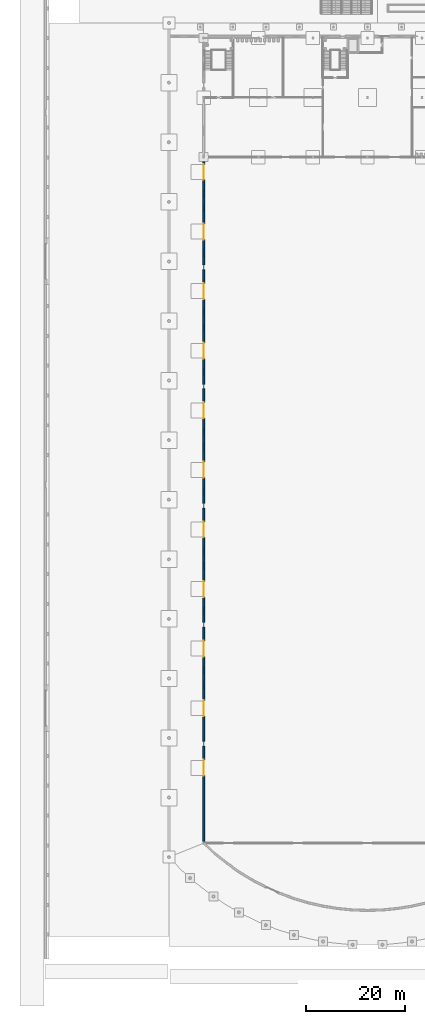
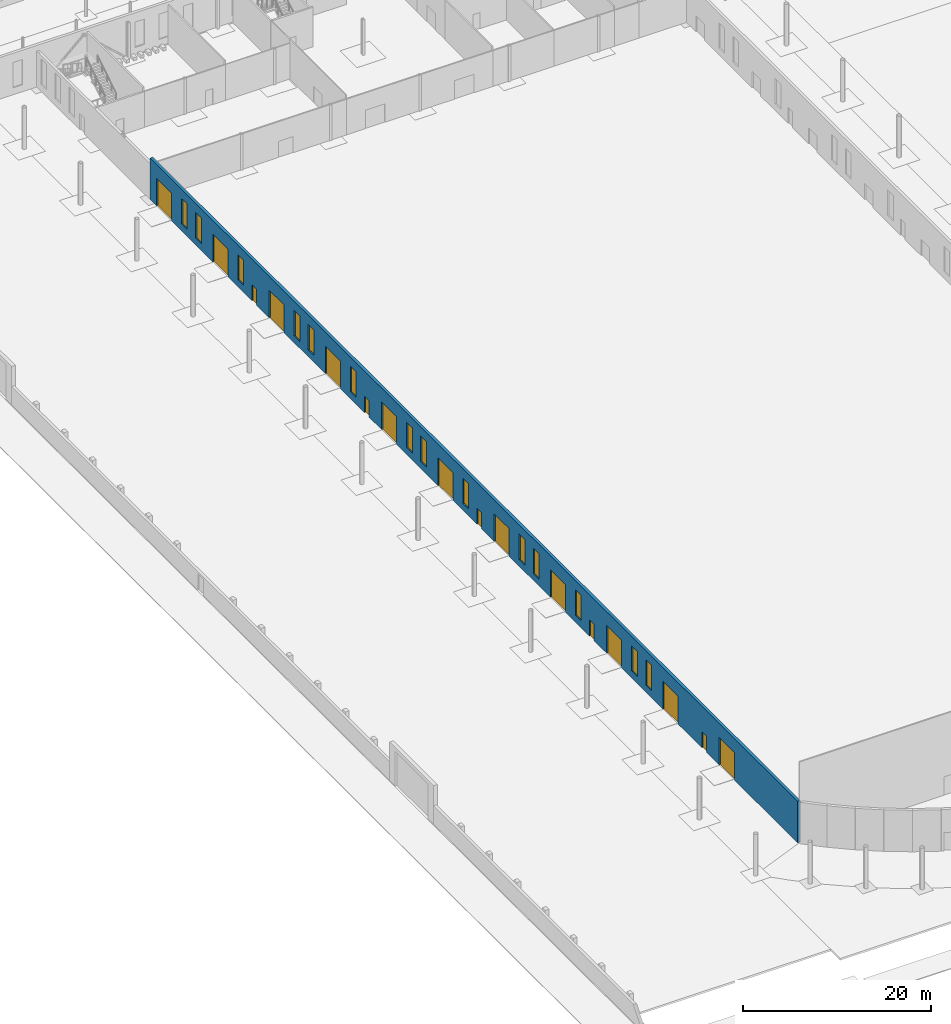
# One storey, part 60 of 132: 16 doors, 14 windows, 1 wall, 30 openings.
"""IFC4 building model written with IfcOpenShell, lengths in metres."""

from ifc_helpers import new_model, si_unit, direction, frame, frame_2d, origin, place, context, subcontext, project, spatial, rectangle, extrude, material, layer, layer_set, type_object, element, fill, save


model = new_model("IFC4")

# Units and contexts
model_context = context("Model", 3, precision=1e-05, world=origin(), true_north=direction((0.0, 1.0)))
body_context = subcontext(model_context, "Body", "Model", "MODEL_VIEW")
ifc_project = project(units=[si_unit("LENGTHUNIT", "METRE"), si_unit("AREAUNIT", "SQUARE_METRE"), si_unit("VOLUMEUNIT", "CUBIC_METRE"), si_unit("PLANEANGLEUNIT", "RADIAN"), si_unit("MASSUNIT", "GRAM", prefix="KILO")], contexts=[model_context])

# Site, building, storey
site_placement = place(None, origin())
site = spatial("IfcSite", under=ifc_project, at=site_placement, CompositionType="ELEMENT")
building_placement = place(site_placement, origin())
building = spatial("IfcBuilding", under=site, at=building_placement, Name="Ravi Spectrum Wholesale Market", CompositionType="ELEMENT")
storey_placement = place(building_placement, origin())
storey = spatial("IfcBuildingStorey", under=building, at=storey_placement, Name="L00", CompositionType="ELEMENT", Elevation=0.0)

# Wall, openings, doors, windows
ifc_material_1 = material(Name="Clinker brickwork", Category="masonry")
ifc_layer = layer(ifc_material_1, 0.340087890625)
ifc_layer_set = layer_set([ifc_layer], Name="Clinker brickwork")
wall_type = type_object("IfcWallType", Name="Brick 340 clinker", PredefinedType="SOLIDWALL", material=ifc_layer_set)
wall_placement = place(storey_placement, frame((37.0, 171.0, 0.0), z_axis=(0.0, 0.0, 1.0), x_axis=(0.0, -1.0, 0.0)))
wall = element("IfcWall", 1, at=wall_placement, inside=storey, type_object=wall_type, Name="Hall wall", PredefinedType="SOLIDWALL", context=body_context, shape_type="SweptSolid", body=[
    extrude(rectangle(XDim=138.115234375, YDim=0.340087890625, at=frame_2d((69.0576171875, 0.0))), origin(), (0.0, 0.0, 1.0), 5.39990234375),
])
opening_1_placement = place(wall_placement, frame((121.39990234375, 0.0, 0.0)))
opening_1 = element("IfcOpeningElement", 2, at=opening_1_placement, cuts=wall, Name="Opening D103", PredefinedType="OPENING", context=body_context, shape_type="SweptSolid", body=[
    extrude(rectangle(XDim=3.199951171875, YDim=3.60009765625, at=frame_2d((1.60009765625, 1.800048828125))), frame((0.0, 0.179931640625, 0.0), z_axis=(0.0, -1.0, 0.0), x_axis=(1.0, 0.0, 0.0)), (0.0, 0.0, 1.0), 0.360107421875),
])
opening_2_placement = place(wall_placement, frame((118.699951171875, 0.0, 0.0), z_axis=(0.0, 0.0, 1.0), x_axis=(-1.0, 0.0, 0.0)))
opening_2 = element("IfcOpeningElement", 3, at=opening_2_placement, cuts=wall, Name="Opening D105", PredefinedType="OPENING", context=body_context, shape_type="SweptSolid", body=[
    extrude(rectangle(XDim=1.0, YDim=2.10009765625, at=frame_2d((0.5, 1.050048828125))), frame((0.0, 0.179931640625, 0.0), z_axis=(0.0, -1.0, 0.0), x_axis=(1.0, 0.0, 0.0)), (0.0, 0.0, 1.0), 0.360107421875),
])
opening_3_placement = place(wall_placement, frame((109.39990234375, 0.0, 0.0)))
opening_3 = element("IfcOpeningElement", 4, at=opening_3_placement, cuts=wall, Name="Opening D107", PredefinedType="OPENING", context=body_context, shape_type="SweptSolid", body=[
    extrude(rectangle(XDim=3.199951171875, YDim=3.60009765625, at=frame_2d((1.60009765625, 1.800048828125))), frame((0.0, 0.179931640625, 0.0), z_axis=(0.0, -1.0, 0.0), x_axis=(1.0, 0.0, 0.0)), (0.0, 0.0, 1.0), 0.360107421875),
])
opening_4_placement = place(wall_placement, frame((97.39990234375, 0.0, 0.0)))
opening_4 = element("IfcOpeningElement", 5, at=opening_4_placement, cuts=wall, Name="Opening D109", PredefinedType="OPENING", context=body_context, shape_type="SweptSolid", body=[
    extrude(rectangle(XDim=3.199951171875, YDim=3.60009765625, at=frame_2d((1.60009765625, 1.800048828125))), frame((0.0, 0.179931640625, 0.0), z_axis=(0.0, -1.0, 0.0), x_axis=(1.0, 0.0, 0.0)), (0.0, 0.0, 1.0), 0.360107421875),
])
opening_5_placement = place(wall_placement, frame((94.699951171875, 0.0, 0.0), z_axis=(0.0, 0.0, 1.0), x_axis=(-1.0, 0.0, 0.0)))
opening_5 = element("IfcOpeningElement", 6, at=opening_5_placement, cuts=wall, Name="Opening D111", PredefinedType="OPENING", context=body_context, shape_type="SweptSolid", body=[
    extrude(rectangle(XDim=1.0, YDim=2.10009765625, at=frame_2d((0.5, 1.050048828125))), frame((0.0, 0.179931640625, 0.0), z_axis=(0.0, -1.0, 0.0), x_axis=(1.0, 0.0, 0.0)), (0.0, 0.0, 1.0), 0.360107421875),
])
opening_6_placement = place(wall_placement, frame((85.39990234375, 0.0, 0.0)))
opening_6 = element("IfcOpeningElement", 7, at=opening_6_placement, cuts=wall, Name="Opening D113", PredefinedType="OPENING", context=body_context, shape_type="SweptSolid", body=[
    extrude(rectangle(XDim=3.199951171875, YDim=3.60009765625, at=frame_2d((1.60009765625, 1.800048828125))), frame((0.0, 0.179931640625, 0.0), z_axis=(0.0, -1.0, 0.0), x_axis=(1.0, 0.0, 0.0)), (0.0, 0.0, 1.0), 0.360107421875),
])
opening_7_placement = place(wall_placement, frame((73.39990234375, 0.0, 0.0)))
opening_7 = element("IfcOpeningElement", 8, at=opening_7_placement, cuts=wall, Name="Opening D115", PredefinedType="OPENING", context=body_context, shape_type="SweptSolid", body=[
    extrude(rectangle(XDim=3.199951171875, YDim=3.60009765625, at=frame_2d((1.60009765625, 1.800048828125))), frame((0.0, 0.179931640625, 0.0), z_axis=(0.0, -1.0, 0.0), x_axis=(1.0, 0.0, 0.0)), (0.0, 0.0, 1.0), 0.360107421875),
])
opening_8_placement = place(wall_placement, frame((70.699951171875, 0.0, 0.0), z_axis=(0.0, 0.0, 1.0), x_axis=(-1.0, 0.0, 0.0)))
opening_8 = element("IfcOpeningElement", 9, at=opening_8_placement, cuts=wall, Name="Opening D117", PredefinedType="OPENING", context=body_context, shape_type="SweptSolid", body=[
    extrude(rectangle(XDim=1.0, YDim=2.10009765625, at=frame_2d((0.5, 1.050048828125))), frame((0.0, 0.179931640625, 0.0), z_axis=(0.0, -1.0, 0.0), x_axis=(1.0, 0.0, 0.0)), (0.0, 0.0, 1.0), 0.360107421875),
])
opening_9_placement = place(wall_placement, frame((61.39990234375, 0.0, 0.0)))
opening_9 = element("IfcOpeningElement", 10, at=opening_9_placement, cuts=wall, Name="Opening D119", PredefinedType="OPENING", context=body_context, shape_type="SweptSolid", body=[
    extrude(rectangle(XDim=3.199951171875, YDim=3.60009765625, at=frame_2d((1.60009765625, 1.800048828125))), frame((0.0, 0.179931640625, 0.0), z_axis=(0.0, -1.0, 0.0), x_axis=(1.0, 0.0, 0.0)), (0.0, 0.0, 1.0), 0.360107421875),
])
opening_10_placement = place(wall_placement, frame((49.39990234375, 0.0, 0.0)))
opening_10 = element("IfcOpeningElement", 11, at=opening_10_placement, cuts=wall, Name="Opening D121", PredefinedType="OPENING", context=body_context, shape_type="SweptSolid", body=[
    extrude(rectangle(XDim=3.199951171875, YDim=3.60009765625, at=frame_2d((1.60009765625, 1.800048828125))), frame((0.0, 0.179931640625, 0.0), z_axis=(0.0, -1.0, 0.0), x_axis=(1.0, 0.0, 0.0)), (0.0, 0.0, 1.0), 0.360107421875),
])
opening_11_placement = place(wall_placement, frame((46.699951171875, 0.0, 0.0), z_axis=(0.0, 0.0, 1.0), x_axis=(-1.0, 0.0, 0.0)))
opening_11 = element("IfcOpeningElement", 12, at=opening_11_placement, cuts=wall, Name="Opening D123", PredefinedType="OPENING", context=body_context, shape_type="SweptSolid", body=[
    extrude(rectangle(XDim=1.0, YDim=2.10009765625, at=frame_2d((0.5, 1.050048828125))), frame((0.0, 0.179931640625, 0.0), z_axis=(0.0, -1.0, 0.0), x_axis=(1.0, 0.0, 0.0)), (0.0, 0.0, 1.0), 0.360107421875),
])
opening_12_placement = place(wall_placement, frame((37.39990234375, 0.0, 0.0)))
opening_12 = element("IfcOpeningElement", 13, at=opening_12_placement, cuts=wall, Name="Opening D125", PredefinedType="OPENING", context=body_context, shape_type="SweptSolid", body=[
    extrude(rectangle(XDim=3.199951171875, YDim=3.60009765625, at=frame_2d((1.60009765625, 1.800048828125))), frame((0.0, 0.179931640625, 0.0), z_axis=(0.0, -1.0, 0.0), x_axis=(1.0, 0.0, 0.0)), (0.0, 0.0, 1.0), 0.360107421875),
])
opening_13_placement = place(wall_placement, frame((25.39990234375, 0.0, 0.0)))
opening_13 = element("IfcOpeningElement", 14, at=opening_13_placement, cuts=wall, Name="Opening D127", PredefinedType="OPENING", context=body_context, shape_type="SweptSolid", body=[
    extrude(rectangle(XDim=3.199951171875, YDim=3.60009765625, at=frame_2d((1.60009765625, 1.800048828125))), frame((0.0, 0.179931640625, 0.0), z_axis=(0.0, -1.0, 0.0), x_axis=(1.0, 0.0, 0.0)), (0.0, 0.0, 1.0), 0.360107421875),
])
opening_14_placement = place(wall_placement, frame((22.699951171875, 0.0, 0.0), z_axis=(0.0, 0.0, 1.0), x_axis=(-1.0, 0.0, 0.0)))
opening_14 = element("IfcOpeningElement", 15, at=opening_14_placement, cuts=wall, Name="Opening D129", PredefinedType="OPENING", context=body_context, shape_type="SweptSolid", body=[
    extrude(rectangle(XDim=1.0, YDim=2.10009765625, at=frame_2d((0.5, 1.050048828125))), frame((0.0, 0.179931640625, 0.0), z_axis=(0.0, -1.0, 0.0), x_axis=(1.0, 0.0, 0.0)), (0.0, 0.0, 1.0), 0.360107421875),
])
opening_15_placement = place(wall_placement, frame((13.39990234375, 0.0, 0.0)))
opening_15 = element("IfcOpeningElement", 16, at=opening_15_placement, cuts=wall, Name="Opening D131", PredefinedType="OPENING", context=body_context, shape_type="SweptSolid", body=[
    extrude(rectangle(XDim=3.199951171875, YDim=3.60009765625, at=frame_2d((1.60009765625, 1.800048828125))), frame((0.0, 0.179931640625, 0.0), z_axis=(0.0, -1.0, 0.0), x_axis=(1.0, 0.0, 0.0)), (0.0, 0.0, 1.0), 0.360107421875),
])
opening_16_placement = place(wall_placement, frame((1.39990234375, 0.0, 0.0)))
opening_16 = element("IfcOpeningElement", 17, at=opening_16_placement, cuts=wall, Name="Opening D133", PredefinedType="OPENING", context=body_context, shape_type="SweptSolid", body=[
    extrude(rectangle(XDim=3.199951171875, YDim=3.60009765625, at=frame_2d((1.60009765625, 1.800048828125))), frame((0.0, 0.179931640625, 0.0), z_axis=(0.0, -1.0, 0.0), x_axis=(1.0, 0.0, 0.0)), (0.0, 0.0, 1.0), 0.360107421875),
])
opening_17_placement = place(wall_placement, frame((6.72998046875, 0.0, 0.89990234375)))
opening_17 = element("IfcOpeningElement", 18, at=opening_17_placement, cuts=wall, Name="Opening W1007", PredefinedType="OPENING", context=body_context, shape_type="SweptSolid", body=[
    extrude(rectangle(XDim=1.199951171875, YDim=3.300048828125, at=frame_2d((0.60009765625, 1.64990234375))), frame((0.0, 0.179931640625, 0.0), z_axis=(0.0, -1.0, 0.0), x_axis=(1.0, 0.0, 0.0)), (0.0, 0.0, 1.0), 0.360107421875),
])
opening_18_placement = place(wall_placement, frame((9.72998046875, 0.0, 0.89990234375)))
opening_18 = element("IfcOpeningElement", 19, at=opening_18_placement, cuts=wall, Name="Opening W1008", PredefinedType="OPENING", context=body_context, shape_type="SweptSolid", body=[
    extrude(rectangle(XDim=1.199951171875, YDim=3.300048828125, at=frame_2d((0.60009765625, 1.64990234375))), frame((0.0, 0.179931640625, 0.0), z_axis=(0.0, -1.0, 0.0), x_axis=(1.0, 0.0, 0.0)), (0.0, 0.0, 1.0), 0.360107421875),
])
opening_19_placement = place(wall_placement, frame((18.72998046875, 0.0, 0.89990234375)))
opening_19 = element("IfcOpeningElement", 20, at=opening_19_placement, cuts=wall, Name="Opening W1009", PredefinedType="OPENING", context=body_context, shape_type="SweptSolid", body=[
    extrude(rectangle(XDim=1.199951171875, YDim=3.300048828125, at=frame_2d((0.60009765625, 1.64990234375))), frame((0.0, 0.179931640625, 0.0), z_axis=(0.0, -1.0, 0.0), x_axis=(1.0, 0.0, 0.0)), (0.0, 0.0, 1.0), 0.360107421875),
])
opening_20_placement = place(wall_placement, frame((30.72998046875, 0.0, 0.89990234375)))
opening_20 = element("IfcOpeningElement", 21, at=opening_20_placement, cuts=wall, Name="Opening W1010", PredefinedType="OPENING", context=body_context, shape_type="SweptSolid", body=[
    extrude(rectangle(XDim=1.199951171875, YDim=3.300048828125, at=frame_2d((0.60009765625, 1.64990234375))), frame((0.0, 0.179931640625, 0.0), z_axis=(0.0, -1.0, 0.0), x_axis=(1.0, 0.0, 0.0)), (0.0, 0.0, 1.0), 0.360107421875),
])
opening_21_placement = place(wall_placement, frame((33.72998046875, 0.0, 0.89990234375)))
opening_21 = element("IfcOpeningElement", 22, at=opening_21_placement, cuts=wall, Name="Opening W1011", PredefinedType="OPENING", context=body_context, shape_type="SweptSolid", body=[
    extrude(rectangle(XDim=1.199951171875, YDim=3.300048828125, at=frame_2d((0.60009765625, 1.64990234375))), frame((0.0, 0.179931640625, 0.0), z_axis=(0.0, -1.0, 0.0), x_axis=(1.0, 0.0, 0.0)), (0.0, 0.0, 1.0), 0.360107421875),
])
opening_22_placement = place(wall_placement, frame((42.72998046875, 0.0, 0.89990234375)))
opening_22 = element("IfcOpeningElement", 23, at=opening_22_placement, cuts=wall, Name="Opening W1012", PredefinedType="OPENING", context=body_context, shape_type="SweptSolid", body=[
    extrude(rectangle(XDim=1.199951171875, YDim=3.300048828125, at=frame_2d((0.60009765625, 1.64990234375))), frame((0.0, 0.179931640625, 0.0), z_axis=(0.0, -1.0, 0.0), x_axis=(1.0, 0.0, 0.0)), (0.0, 0.0, 1.0), 0.360107421875),
])
opening_23_placement = place(wall_placement, frame((54.72998046875, 0.0, 0.89990234375)))
opening_23 = element("IfcOpeningElement", 24, at=opening_23_placement, cuts=wall, Name="Opening W1013", PredefinedType="OPENING", context=body_context, shape_type="SweptSolid", body=[
    extrude(rectangle(XDim=1.199951171875, YDim=3.300048828125, at=frame_2d((0.60009765625, 1.64990234375))), frame((0.0, 0.179931640625, 0.0), z_axis=(0.0, -1.0, 0.0), x_axis=(1.0, 0.0, 0.0)), (0.0, 0.0, 1.0), 0.360107421875),
])
opening_24_placement = place(wall_placement, frame((57.72998046875, 0.0, 0.89990234375)))
opening_24 = element("IfcOpeningElement", 25, at=opening_24_placement, cuts=wall, Name="Opening W1014", PredefinedType="OPENING", context=body_context, shape_type="SweptSolid", body=[
    extrude(rectangle(XDim=1.199951171875, YDim=3.300048828125, at=frame_2d((0.60009765625, 1.64990234375))), frame((0.0, 0.179931640625, 0.0), z_axis=(0.0, -1.0, 0.0), x_axis=(1.0, 0.0, 0.0)), (0.0, 0.0, 1.0), 0.360107421875),
])
opening_25_placement = place(wall_placement, frame((66.72998046875, 0.0, 0.89990234375)))
opening_25 = element("IfcOpeningElement", 26, at=opening_25_placement, cuts=wall, Name="Opening W1015", PredefinedType="OPENING", context=body_context, shape_type="SweptSolid", body=[
    extrude(rectangle(XDim=1.199951171875, YDim=3.300048828125, at=frame_2d((0.60009765625, 1.64990234375))), frame((0.0, 0.179931640625, 0.0), z_axis=(0.0, -1.0, 0.0), x_axis=(1.0, 0.0, 0.0)), (0.0, 0.0, 1.0), 0.360107421875),
])
opening_26_placement = place(wall_placement, frame((78.72998046875, 0.0, 0.89990234375)))
opening_26 = element("IfcOpeningElement", 27, at=opening_26_placement, cuts=wall, Name="Opening W1016", PredefinedType="OPENING", context=body_context, shape_type="SweptSolid", body=[
    extrude(rectangle(XDim=1.199951171875, YDim=3.300048828125, at=frame_2d((0.60009765625, 1.64990234375))), frame((0.0, 0.179931640625, 0.0), z_axis=(0.0, -1.0, 0.0), x_axis=(1.0, 0.0, 0.0)), (0.0, 0.0, 1.0), 0.360107421875),
])
opening_27_placement = place(wall_placement, frame((81.72998046875, 0.0, 0.89990234375)))
opening_27 = element("IfcOpeningElement", 28, at=opening_27_placement, cuts=wall, Name="Opening W1017", PredefinedType="OPENING", context=body_context, shape_type="SweptSolid", body=[
    extrude(rectangle(XDim=1.199951171875, YDim=3.300048828125, at=frame_2d((0.60009765625, 1.64990234375))), frame((0.0, 0.179931640625, 0.0), z_axis=(0.0, -1.0, 0.0), x_axis=(1.0, 0.0, 0.0)), (0.0, 0.0, 1.0), 0.360107421875),
])
opening_28_placement = place(wall_placement, frame((90.72998046875, 0.0, 0.89990234375)))
opening_28 = element("IfcOpeningElement", 29, at=opening_28_placement, cuts=wall, Name="Opening W1018", PredefinedType="OPENING", context=body_context, shape_type="SweptSolid", body=[
    extrude(rectangle(XDim=1.199951171875, YDim=3.300048828125, at=frame_2d((0.60009765625, 1.64990234375))), frame((0.0, 0.179931640625, 0.0), z_axis=(0.0, -1.0, 0.0), x_axis=(1.0, 0.0, 0.0)), (0.0, 0.0, 1.0), 0.360107421875),
])
opening_29_placement = place(wall_placement, frame((102.72998046875, 0.0, 0.89990234375)))
opening_29 = element("IfcOpeningElement", 30, at=opening_29_placement, cuts=wall, Name="Opening W1019", PredefinedType="OPENING", context=body_context, shape_type="SweptSolid", body=[
    extrude(rectangle(XDim=1.199951171875, YDim=3.300048828125, at=frame_2d((0.60009765625, 1.64990234375))), frame((0.0, 0.179931640625, 0.0), z_axis=(0.0, -1.0, 0.0), x_axis=(1.0, 0.0, 0.0)), (0.0, 0.0, 1.0), 0.360107421875),
])
opening_30_placement = place(wall_placement, frame((105.72998046875, 0.0, 0.89990234375)))
opening_30 = element("IfcOpeningElement", 31, at=opening_30_placement, cuts=wall, Name="Opening W1020", PredefinedType="OPENING", context=body_context, shape_type="SweptSolid", body=[
    extrude(rectangle(XDim=1.199951171875, YDim=3.300048828125, at=frame_2d((0.60009765625, 1.64990234375))), frame((0.0, 0.179931640625, 0.0), z_axis=(0.0, -1.0, 0.0), x_axis=(1.0, 0.0, 0.0)), (0.0, 0.0, 1.0), 0.360107421875),
])
ifc_material_2 = material(Name="Steel roller shutter", Category="steel")
door_type_1 = type_object("IfcDoorType", Name="Dock roller shutter 3200 x 3600", OperationType="ROLLINGUP", PredefinedType="DOOR", material=ifc_material_2)
door_1_placement = place(opening_1_placement, origin())
door_1 = element("IfcDoor", 32, at=door_1_placement, inside=storey, type_object=door_type_1, Name="Door D103", OperationType="ROLLINGUP", OverallHeight=3.60009765625, OverallWidth=3.199951171875, PredefinedType="DOOR", context=body_context, shape_type="SweptSolid", body=[
    extrude(rectangle(XDim=3.199951171875, YDim=3.60009765625, at=frame_2d((1.60009765625, 1.800048828125))), frame((0.0, 0.02490234375, 0.0), z_axis=(0.0, -1.0, 0.0), x_axis=(1.0, 0.0, 0.0)), (0.0, 0.0, 1.0), 0.050048828125),
])
fill(opening_1, door_1)
door_2_placement = place(opening_3_placement, origin())
door_2 = element("IfcDoor", 33, at=door_2_placement, inside=storey, type_object=door_type_1, Name="Door D107", OperationType="ROLLINGUP", OverallHeight=3.60009765625, OverallWidth=3.199951171875, PredefinedType="DOOR", context=body_context, shape_type="SweptSolid", body=[
    extrude(rectangle(XDim=3.199951171875, YDim=3.60009765625, at=frame_2d((1.60009765625, 1.800048828125))), frame((0.0, 0.02490234375, 0.0), z_axis=(0.0, -1.0, 0.0), x_axis=(1.0, 0.0, 0.0)), (0.0, 0.0, 1.0), 0.050048828125),
])
fill(opening_3, door_2)
door_3_placement = place(opening_4_placement, origin())
door_3 = element("IfcDoor", 34, at=door_3_placement, inside=storey, type_object=door_type_1, Name="Door D109", OperationType="ROLLINGUP", OverallHeight=3.60009765625, OverallWidth=3.199951171875, PredefinedType="DOOR", context=body_context, shape_type="SweptSolid", body=[
    extrude(rectangle(XDim=3.199951171875, YDim=3.60009765625, at=frame_2d((1.60009765625, 1.800048828125))), frame((0.0, 0.02490234375, 0.0), z_axis=(0.0, -1.0, 0.0), x_axis=(1.0, 0.0, 0.0)), (0.0, 0.0, 1.0), 0.050048828125),
])
fill(opening_4, door_3)
door_4_placement = place(opening_6_placement, origin())
door_4 = element("IfcDoor", 35, at=door_4_placement, inside=storey, type_object=door_type_1, Name="Door D113", OperationType="ROLLINGUP", OverallHeight=3.60009765625, OverallWidth=3.199951171875, PredefinedType="DOOR", context=body_context, shape_type="SweptSolid", body=[
    extrude(rectangle(XDim=3.199951171875, YDim=3.60009765625, at=frame_2d((1.60009765625, 1.800048828125))), frame((0.0, 0.02490234375, 0.0), z_axis=(0.0, -1.0, 0.0), x_axis=(1.0, 0.0, 0.0)), (0.0, 0.0, 1.0), 0.050048828125),
])
fill(opening_6, door_4)
door_5_placement = place(opening_7_placement, origin())
door_5 = element("IfcDoor", 36, at=door_5_placement, inside=storey, type_object=door_type_1, Name="Door D115", OperationType="ROLLINGUP", OverallHeight=3.60009765625, OverallWidth=3.199951171875, PredefinedType="DOOR", context=body_context, shape_type="SweptSolid", body=[
    extrude(rectangle(XDim=3.199951171875, YDim=3.60009765625, at=frame_2d((1.60009765625, 1.800048828125))), frame((0.0, 0.02490234375, 0.0), z_axis=(0.0, -1.0, 0.0), x_axis=(1.0, 0.0, 0.0)), (0.0, 0.0, 1.0), 0.050048828125),
])
fill(opening_7, door_5)
door_6_placement = place(opening_9_placement, origin())
door_6 = element("IfcDoor", 37, at=door_6_placement, inside=storey, type_object=door_type_1, Name="Door D119", OperationType="ROLLINGUP", OverallHeight=3.60009765625, OverallWidth=3.199951171875, PredefinedType="DOOR", context=body_context, shape_type="SweptSolid", body=[
    extrude(rectangle(XDim=3.199951171875, YDim=3.60009765625, at=frame_2d((1.60009765625, 1.800048828125))), frame((0.0, 0.02490234375, 0.0), z_axis=(0.0, -1.0, 0.0), x_axis=(1.0, 0.0, 0.0)), (0.0, 0.0, 1.0), 0.050048828125),
])
fill(opening_9, door_6)
door_7_placement = place(opening_10_placement, origin())
door_7 = element("IfcDoor", 38, at=door_7_placement, inside=storey, type_object=door_type_1, Name="Door D121", OperationType="ROLLINGUP", OverallHeight=3.60009765625, OverallWidth=3.199951171875, PredefinedType="DOOR", context=body_context, shape_type="SweptSolid", body=[
    extrude(rectangle(XDim=3.199951171875, YDim=3.60009765625, at=frame_2d((1.60009765625, 1.800048828125))), frame((0.0, 0.02490234375, 0.0), z_axis=(0.0, -1.0, 0.0), x_axis=(1.0, 0.0, 0.0)), (0.0, 0.0, 1.0), 0.050048828125),
])
fill(opening_10, door_7)
door_8_placement = place(opening_12_placement, origin())
door_8 = element("IfcDoor", 39, at=door_8_placement, inside=storey, type_object=door_type_1, Name="Door D125", OperationType="ROLLINGUP", OverallHeight=3.60009765625, OverallWidth=3.199951171875, PredefinedType="DOOR", context=body_context, shape_type="SweptSolid", body=[
    extrude(rectangle(XDim=3.199951171875, YDim=3.60009765625, at=frame_2d((1.60009765625, 1.800048828125))), frame((0.0, 0.02490234375, 0.0), z_axis=(0.0, -1.0, 0.0), x_axis=(1.0, 0.0, 0.0)), (0.0, 0.0, 1.0), 0.050048828125),
])
fill(opening_12, door_8)
door_9_placement = place(opening_13_placement, origin())
door_9 = element("IfcDoor", 40, at=door_9_placement, inside=storey, type_object=door_type_1, Name="Door D127", OperationType="ROLLINGUP", OverallHeight=3.60009765625, OverallWidth=3.199951171875, PredefinedType="DOOR", context=body_context, shape_type="SweptSolid", body=[
    extrude(rectangle(XDim=3.199951171875, YDim=3.60009765625, at=frame_2d((1.60009765625, 1.800048828125))), frame((0.0, 0.02490234375, 0.0), z_axis=(0.0, -1.0, 0.0), x_axis=(1.0, 0.0, 0.0)), (0.0, 0.0, 1.0), 0.050048828125),
])
fill(opening_13, door_9)
door_10_placement = place(opening_15_placement, origin())
door_10 = element("IfcDoor", 41, at=door_10_placement, inside=storey, type_object=door_type_1, Name="Door D131", OperationType="ROLLINGUP", OverallHeight=3.60009765625, OverallWidth=3.199951171875, PredefinedType="DOOR", context=body_context, shape_type="SweptSolid", body=[
    extrude(rectangle(XDim=3.199951171875, YDim=3.60009765625, at=frame_2d((1.60009765625, 1.800048828125))), frame((0.0, 0.02490234375, 0.0), z_axis=(0.0, -1.0, 0.0), x_axis=(1.0, 0.0, 0.0)), (0.0, 0.0, 1.0), 0.050048828125),
])
fill(opening_15, door_10)
door_11_placement = place(opening_16_placement, origin())
door_11 = element("IfcDoor", 42, at=door_11_placement, inside=storey, type_object=door_type_1, Name="Door D133", OperationType="ROLLINGUP", OverallHeight=3.60009765625, OverallWidth=3.199951171875, PredefinedType="DOOR", context=body_context, shape_type="SweptSolid", body=[
    extrude(rectangle(XDim=3.199951171875, YDim=3.60009765625, at=frame_2d((1.60009765625, 1.800048828125))), frame((0.0, 0.02490234375, 0.0), z_axis=(0.0, -1.0, 0.0), x_axis=(1.0, 0.0, 0.0)), (0.0, 0.0, 1.0), 0.050048828125),
])
fill(opening_16, door_11)
ifc_material_3 = material(Name="Steel door", Category="steel")
door_type_2 = type_object("IfcDoorType", Name="Pedestrian exit door 1000 x 2100", OperationType="SINGLE_SWING_LEFT", PredefinedType="DOOR", material=ifc_material_3)
door_12_placement = place(opening_2_placement, origin())
door_12 = element("IfcDoor", 43, at=door_12_placement, inside=storey, type_object=door_type_2, Name="Door D105", OperationType="SINGLE_SWING_LEFT", OverallHeight=2.10009765625, OverallWidth=1.0, PredefinedType="DOOR", context=body_context, shape_type="SweptSolid", body=[
    extrude(rectangle(XDim=1.0, YDim=2.10009765625, at=frame_2d((0.5, 1.050048828125))), frame((0.0, 0.02490234375, 0.0), z_axis=(0.0, -1.0, 0.0), x_axis=(1.0, 0.0, 0.0)), (0.0, 0.0, 1.0), 0.050048828125),
])
fill(opening_2, door_12)
door_13_placement = place(opening_5_placement, origin())
door_13 = element("IfcDoor", 44, at=door_13_placement, inside=storey, type_object=door_type_2, Name="Door D111", OperationType="SINGLE_SWING_LEFT", OverallHeight=2.10009765625, OverallWidth=1.0, PredefinedType="DOOR", context=body_context, shape_type="SweptSolid", body=[
    extrude(rectangle(XDim=1.0, YDim=2.10009765625, at=frame_2d((0.5, 1.050048828125))), frame((0.0, 0.02490234375, 0.0), z_axis=(0.0, -1.0, 0.0), x_axis=(1.0, 0.0, 0.0)), (0.0, 0.0, 1.0), 0.050048828125),
])
fill(opening_5, door_13)
door_14_placement = place(opening_8_placement, origin())
door_14 = element("IfcDoor", 45, at=door_14_placement, inside=storey, type_object=door_type_2, Name="Door D117", OperationType="SINGLE_SWING_LEFT", OverallHeight=2.10009765625, OverallWidth=1.0, PredefinedType="DOOR", context=body_context, shape_type="SweptSolid", body=[
    extrude(rectangle(XDim=1.0, YDim=2.10009765625, at=frame_2d((0.5, 1.050048828125))), frame((0.0, 0.02490234375, 0.0), z_axis=(0.0, -1.0, 0.0), x_axis=(1.0, 0.0, 0.0)), (0.0, 0.0, 1.0), 0.050048828125),
])
fill(opening_8, door_14)
door_15_placement = place(opening_11_placement, origin())
door_15 = element("IfcDoor", 46, at=door_15_placement, inside=storey, type_object=door_type_2, Name="Door D123", OperationType="SINGLE_SWING_RIGHT", OverallHeight=2.10009765625, OverallWidth=1.0, PredefinedType="DOOR", context=body_context, shape_type="SweptSolid", body=[
    extrude(rectangle(XDim=1.0, YDim=2.10009765625, at=frame_2d((0.5, 1.050048828125))), frame((0.0, 0.02490234375, 0.0), z_axis=(0.0, -1.0, 0.0), x_axis=(1.0, 0.0, 0.0)), (0.0, 0.0, 1.0), 0.050048828125),
])
fill(opening_11, door_15)
door_16_placement = place(opening_14_placement, origin())
door_16 = element("IfcDoor", 47, at=door_16_placement, inside=storey, type_object=door_type_2, Name="Door D129", OperationType="SINGLE_SWING_RIGHT", OverallHeight=2.10009765625, OverallWidth=1.0, PredefinedType="DOOR", context=body_context, shape_type="SweptSolid", body=[
    extrude(rectangle(XDim=1.0, YDim=2.10009765625, at=frame_2d((0.5, 1.050048828125))), frame((0.0, 0.02490234375, 0.0), z_axis=(0.0, -1.0, 0.0), x_axis=(1.0, 0.0, 0.0)), (0.0, 0.0, 1.0), 0.050048828125),
])
fill(opening_14, door_16)
ifc_material_4 = material(Name="Steel window frame", Category="steel")
window_type = type_object("IfcWindowType", Name="Tall pier window 1200 x 3300", PartitioningType="SINGLE_PANEL", PredefinedType="WINDOW", material=ifc_material_4)
window_1_placement = place(opening_17_placement, origin())
window_1 = element("IfcWindow", 48, at=window_1_placement, inside=storey, type_object=window_type, Name="Window W1007", OverallHeight=3.300048828125, OverallWidth=1.199951171875, PartitioningType="SINGLE_PANEL", PredefinedType="WINDOW", context=body_context, shape_type="SweptSolid", body=[
    extrude(rectangle(XDim=1.199951171875, YDim=3.300048828125, at=frame_2d((0.60009765625, 1.64990234375))), frame((0.0, 0.030029296875, 0.0), z_axis=(0.0, -1.0, 0.0), x_axis=(1.0, 0.0, 0.0)), (0.0, 0.0, 1.0), 0.06005859375),
])
fill(opening_17, window_1)
window_2_placement = place(opening_18_placement, origin())
window_2 = element("IfcWindow", 49, at=window_2_placement, inside=storey, type_object=window_type, Name="Window W1008", OverallHeight=3.300048828125, OverallWidth=1.199951171875, PartitioningType="SINGLE_PANEL", PredefinedType="WINDOW", context=body_context, shape_type="SweptSolid", body=[
    extrude(rectangle(XDim=1.199951171875, YDim=3.300048828125, at=frame_2d((0.60009765625, 1.64990234375))), frame((0.0, 0.030029296875, 0.0), z_axis=(0.0, -1.0, 0.0), x_axis=(1.0, 0.0, 0.0)), (0.0, 0.0, 1.0), 0.06005859375),
])
fill(opening_18, window_2)
window_3_placement = place(opening_19_placement, origin())
window_3 = element("IfcWindow", 50, at=window_3_placement, inside=storey, type_object=window_type, Name="Window W1009", OverallHeight=3.300048828125, OverallWidth=1.199951171875, PartitioningType="SINGLE_PANEL", PredefinedType="WINDOW", context=body_context, shape_type="SweptSolid", body=[
    extrude(rectangle(XDim=1.199951171875, YDim=3.300048828125, at=frame_2d((0.60009765625, 1.64990234375))), frame((0.0, 0.030029296875, 0.0), z_axis=(0.0, -1.0, 0.0), x_axis=(1.0, 0.0, 0.0)), (0.0, 0.0, 1.0), 0.06005859375),
])
fill(opening_19, window_3)
window_4_placement = place(opening_20_placement, origin())
window_4 = element("IfcWindow", 51, at=window_4_placement, inside=storey, type_object=window_type, Name="Window W1010", OverallHeight=3.300048828125, OverallWidth=1.199951171875, PartitioningType="SINGLE_PANEL", PredefinedType="WINDOW", context=body_context, shape_type="SweptSolid", body=[
    extrude(rectangle(XDim=1.199951171875, YDim=3.300048828125, at=frame_2d((0.60009765625, 1.64990234375))), frame((0.0, 0.030029296875, 0.0), z_axis=(0.0, -1.0, 0.0), x_axis=(1.0, 0.0, 0.0)), (0.0, 0.0, 1.0), 0.06005859375),
])
fill(opening_20, window_4)
window_5_placement = place(opening_21_placement, origin())
window_5 = element("IfcWindow", 52, at=window_5_placement, inside=storey, type_object=window_type, Name="Window W1011", OverallHeight=3.300048828125, OverallWidth=1.199951171875, PartitioningType="SINGLE_PANEL", PredefinedType="WINDOW", context=body_context, shape_type="SweptSolid", body=[
    extrude(rectangle(XDim=1.199951171875, YDim=3.300048828125, at=frame_2d((0.60009765625, 1.64990234375))), frame((0.0, 0.030029296875, 0.0), z_axis=(0.0, -1.0, 0.0), x_axis=(1.0, 0.0, 0.0)), (0.0, 0.0, 1.0), 0.06005859375),
])
fill(opening_21, window_5)
window_6_placement = place(opening_22_placement, origin())
window_6 = element("IfcWindow", 53, at=window_6_placement, inside=storey, type_object=window_type, Name="Window W1012", OverallHeight=3.300048828125, OverallWidth=1.199951171875, PartitioningType="SINGLE_PANEL", PredefinedType="WINDOW", context=body_context, shape_type="SweptSolid", body=[
    extrude(rectangle(XDim=1.199951171875, YDim=3.300048828125, at=frame_2d((0.60009765625, 1.64990234375))), frame((0.0, 0.030029296875, 0.0), z_axis=(0.0, -1.0, 0.0), x_axis=(1.0, 0.0, 0.0)), (0.0, 0.0, 1.0), 0.06005859375),
])
fill(opening_22, window_6)
window_7_placement = place(opening_23_placement, origin())
window_7 = element("IfcWindow", 54, at=window_7_placement, inside=storey, type_object=window_type, Name="Window W1013", OverallHeight=3.300048828125, OverallWidth=1.199951171875, PartitioningType="SINGLE_PANEL", PredefinedType="WINDOW", context=body_context, shape_type="SweptSolid", body=[
    extrude(rectangle(XDim=1.199951171875, YDim=3.300048828125, at=frame_2d((0.60009765625, 1.64990234375))), frame((0.0, 0.030029296875, 0.0), z_axis=(0.0, -1.0, 0.0), x_axis=(1.0, 0.0, 0.0)), (0.0, 0.0, 1.0), 0.06005859375),
])
fill(opening_23, window_7)
window_8_placement = place(opening_24_placement, origin())
window_8 = element("IfcWindow", 55, at=window_8_placement, inside=storey, type_object=window_type, Name="Window W1014", OverallHeight=3.300048828125, OverallWidth=1.199951171875, PartitioningType="SINGLE_PANEL", PredefinedType="WINDOW", context=body_context, shape_type="SweptSolid", body=[
    extrude(rectangle(XDim=1.199951171875, YDim=3.300048828125, at=frame_2d((0.60009765625, 1.64990234375))), frame((0.0, 0.030029296875, 0.0), z_axis=(0.0, -1.0, 0.0), x_axis=(1.0, 0.0, 0.0)), (0.0, 0.0, 1.0), 0.06005859375),
])
fill(opening_24, window_8)
window_9_placement = place(opening_25_placement, origin())
window_9 = element("IfcWindow", 56, at=window_9_placement, inside=storey, type_object=window_type, Name="Window W1015", OverallHeight=3.300048828125, OverallWidth=1.199951171875, PartitioningType="SINGLE_PANEL", PredefinedType="WINDOW", context=body_context, shape_type="SweptSolid", body=[
    extrude(rectangle(XDim=1.199951171875, YDim=3.300048828125, at=frame_2d((0.60009765625, 1.64990234375))), frame((0.0, 0.030029296875, 0.0), z_axis=(0.0, -1.0, 0.0), x_axis=(1.0, 0.0, 0.0)), (0.0, 0.0, 1.0), 0.06005859375),
])
fill(opening_25, window_9)
window_10_placement = place(opening_26_placement, origin())
window_10 = element("IfcWindow", 57, at=window_10_placement, inside=storey, type_object=window_type, Name="Window W1016", OverallHeight=3.300048828125, OverallWidth=1.199951171875, PartitioningType="SINGLE_PANEL", PredefinedType="WINDOW", context=body_context, shape_type="SweptSolid", body=[
    extrude(rectangle(XDim=1.199951171875, YDim=3.300048828125, at=frame_2d((0.60009765625, 1.64990234375))), frame((0.0, 0.030029296875, 0.0), z_axis=(0.0, -1.0, 0.0), x_axis=(1.0, 0.0, 0.0)), (0.0, 0.0, 1.0), 0.06005859375),
])
fill(opening_26, window_10)
window_11_placement = place(opening_27_placement, origin())
window_11 = element("IfcWindow", 58, at=window_11_placement, inside=storey, type_object=window_type, Name="Window W1017", OverallHeight=3.300048828125, OverallWidth=1.199951171875, PartitioningType="SINGLE_PANEL", PredefinedType="WINDOW", context=body_context, shape_type="SweptSolid", body=[
    extrude(rectangle(XDim=1.199951171875, YDim=3.300048828125, at=frame_2d((0.60009765625, 1.64990234375))), frame((0.0, 0.030029296875, 0.0), z_axis=(0.0, -1.0, 0.0), x_axis=(1.0, 0.0, 0.0)), (0.0, 0.0, 1.0), 0.06005859375),
])
fill(opening_27, window_11)
window_12_placement = place(opening_28_placement, origin())
window_12 = element("IfcWindow", 59, at=window_12_placement, inside=storey, type_object=window_type, Name="Window W1018", OverallHeight=3.300048828125, OverallWidth=1.199951171875, PartitioningType="SINGLE_PANEL", PredefinedType="WINDOW", context=body_context, shape_type="SweptSolid", body=[
    extrude(rectangle(XDim=1.199951171875, YDim=3.300048828125, at=frame_2d((0.60009765625, 1.64990234375))), frame((0.0, 0.030029296875, 0.0), z_axis=(0.0, -1.0, 0.0), x_axis=(1.0, 0.0, 0.0)), (0.0, 0.0, 1.0), 0.06005859375),
])
fill(opening_28, window_12)
window_13_placement = place(opening_29_placement, origin())
window_13 = element("IfcWindow", 60, at=window_13_placement, inside=storey, type_object=window_type, Name="Window W1019", OverallHeight=3.300048828125, OverallWidth=1.199951171875, PartitioningType="SINGLE_PANEL", PredefinedType="WINDOW", context=body_context, shape_type="SweptSolid", body=[
    extrude(rectangle(XDim=1.199951171875, YDim=3.300048828125, at=frame_2d((0.60009765625, 1.64990234375))), frame((0.0, 0.030029296875, 0.0), z_axis=(0.0, -1.0, 0.0), x_axis=(1.0, 0.0, 0.0)), (0.0, 0.0, 1.0), 0.06005859375),
])
fill(opening_29, window_13)
window_14_placement = place(opening_30_placement, origin())
window_14 = element("IfcWindow", 61, at=window_14_placement, inside=storey, type_object=window_type, Name="Window W1020", OverallHeight=3.300048828125, OverallWidth=1.199951171875, PartitioningType="SINGLE_PANEL", PredefinedType="WINDOW", context=body_context, shape_type="SweptSolid", body=[
    extrude(rectangle(XDim=1.199951171875, YDim=3.300048828125, at=frame_2d((0.60009765625, 1.64990234375))), frame((0.0, 0.030029296875, 0.0), z_axis=(0.0, -1.0, 0.0), x_axis=(1.0, 0.0, 0.0)), (0.0, 0.0, 1.0), 0.06005859375),
])
fill(opening_30, window_14)

save(model, "model.ifc")
